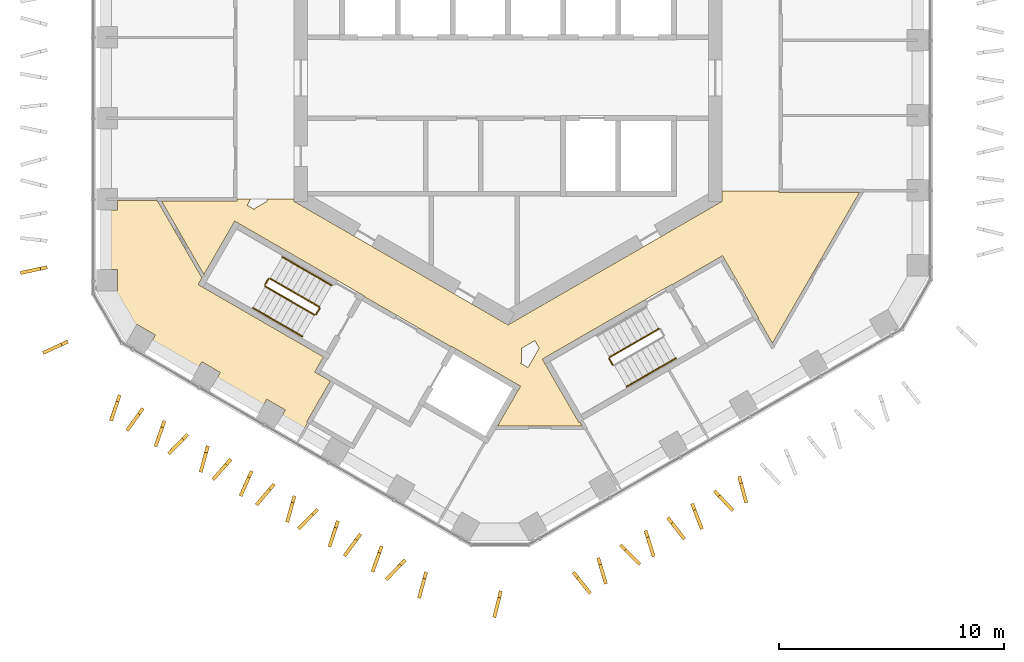
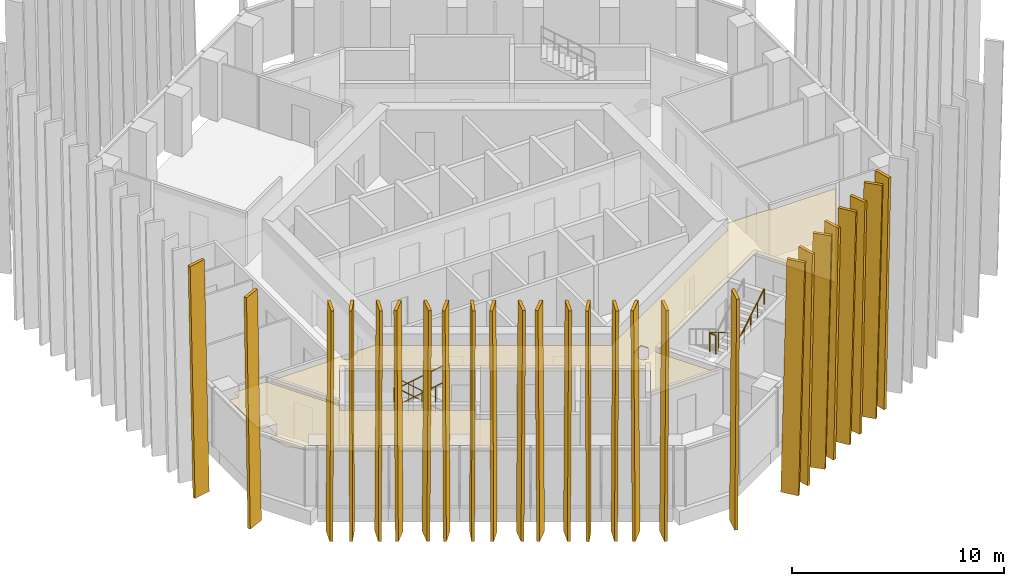
# One storey, part 18 of 21: 26 shading devices, 12 railings, 2 coverings.
"""IFC4 building model written with IfcOpenShell, lengths in metres."""

from ifc_helpers import new_model, si_unit, direction, frame, origin, origin_2d, place, context, subcontext, project, spatial, polyline, circle, outline, extrude, material, layer, layer_set, type_object, element, save


model = new_model("IFC4")

# Units and contexts
model_context = context("Model", 3, precision=1e-05, world=origin(), true_north=direction((0.0, 1.0)))
body_context = subcontext(model_context, "Body", "Model", "MODEL_VIEW")
ifc_project = project(units=[si_unit("LENGTHUNIT", "METRE"), si_unit("AREAUNIT", "SQUARE_METRE"), si_unit("VOLUMEUNIT", "CUBIC_METRE"), si_unit("PLANEANGLEUNIT", "RADIAN"), si_unit("MASSUNIT", "GRAM", prefix="KILO")], contexts=[model_context])

# Site, building, storey
site_placement = place(None, origin())
site = spatial("IfcSite", under=ifc_project, at=site_placement, CompositionType="ELEMENT")
building_placement = place(site_placement, origin())
building = spatial("IfcBuilding", under=site, at=building_placement, Name="Ayvan Gate Tower", CompositionType="ELEMENT")
storey_placement = place(building_placement, frame((0.0, 0.0, 173.10009765625)))
storey = spatial("IfcBuildingStorey", under=building, at=storey_placement, Name="L46", CompositionType="ELEMENT", Elevation=173.10009765625)

# Shading devices
ifc_material_1 = material(Name="Bronze anodised aluminium", Category="aluminium")
ifc_layer_1 = layer(ifc_material_1, 0.14990234375)
ifc_layer_set_1 = layer_set([ifc_layer_1], Name="Bronze anodised aluminium")
shading_device_type = type_object("IfcShadingDeviceType", Name="Bronze fin 900 x 150", PredefinedType="USERDEFINED", material=ifc_layer_set_1)
shading_device_1_placement = place(storey_placement, frame((-20.468994140625, -8.334716796875, 0.0), z_axis=(-0.20630441146, 0.978487852906, 0.000107364626), x_axis=(-0.978487858546, -0.20630441265, 1.4249e-08)))
element("IfcShadingDevice", 1, at=shading_device_1_placement, inside=storey, type_object=shading_device_type, Name="Bronze fin FG17.3.31", ObjectType="FIN", PredefinedType="USERDEFINED", context=body_context, shape_type="SweptSolid", body=[
    extrude(outline(polyline([(0.0, 0.0), (0.9000008212403809, 0.0), (1.2096709895795694, 13.47998052920639), (0.30972053562743307, 13.479980554853862), (0.0, 0.0)])), origin(), (0.0, 0.0, -1.0), 0.14990234375),
])
shading_device_2_placement = place(storey_placement, frame((-19.56689453125, -11.63916015625, 0.0), z_axis=(-0.413925557362, 0.910310727724, 0.000109326786), x_axis=(-0.910310733165, -0.413925559836, 0.0)))
element("IfcShadingDevice", 2, at=shading_device_2_placement, inside=storey, type_object=shading_device_type, Name="Bronze fin FG17.4.32", ObjectType="FIN", PredefinedType="USERDEFINED", context=body_context, shape_type="SweptSolid", body=[
    extrude(outline(polyline([(0.0, 0.0), (0.9000618224633137, 6.776263578034403e-21), (1.2094241761218578, 13.479980549308697), (0.309362353658544, 13.479980549308697), (0.0, 0.0)])), origin(), (0.0, 0.0, -1.0), 0.14990234375),
])
shading_device_3_placement = place(storey_placement, frame((-17.308837890625, -14.052490234375, 0.0), z_axis=(-0.947893724033, 0.31858668733, 0.000102934567), x_axis=(-0.318586689017, -0.947893729055, 1.7679e-08)))
element("IfcShadingDevice", 3, at=shading_device_3_placement, inside=storey, type_object=shading_device_type, Name="Bronze fin FG17.5.33", ObjectType="FIN", PredefinedType="USERDEFINED", context=body_context, shape_type="SweptSolid", body=[
    extrude(outline(polyline([(0.0, 0.0), (0.9001243544804837, 0.0), (1.2095562932305746, 13.479980518779524), (0.30958557816416277, 13.479980550604106), (0.0, 0.0)])), origin(), (0.0, 0.0, -1.0), 0.14990234375),
])
shading_device_4_placement = place(storey_placement, frame((-16.264892578125, -14.626953125, 0.0), z_axis=(-0.812310546814, 0.58322513797, 0.000118217096), x_axis=(-0.583225142046, -0.812310552489, -9.353e-09)))
element("IfcShadingDevice", 4, at=shading_device_4_placement, inside=storey, type_object=shading_device_type, Name="Bronze fin FG17.5.34", ObjectType="FIN", PredefinedType="USERDEFINED", context=body_context, shape_type="SweptSolid", body=[
    extrude(outline(polyline([(0.0, 0.0), (0.8999003538944761, 0.0), (1.2094745358137777, 13.479980574254991), (0.30937586391332267, 13.479980557420328), (0.0, 0.0)])), origin(), (0.0, 0.0, -1.0), 0.14990234375),
])
shading_device_5_placement = place(storey_placement, frame((-15.3212890625, -15.19873046875, 0.0), z_axis=(-0.943970379012, 0.330030166997, 0.000111445898), x_axis=(-0.330030169046, -0.943970384874, 9.283e-09)))
element("IfcShadingDevice", 5, at=shading_device_5_placement, inside=storey, type_object=shading_device_type, Name="Bronze fin FG17.5.35", ObjectType="FIN", PredefinedType="USERDEFINED", context=body_context, shape_type="SweptSolid", body=[
    extrude(outline(polyline([(0.0, 0.0), (0.8997533336272305, 0.0), (1.2093537886609214, 13.479980541235818), (0.30928941974220636, 13.47998055794308), (0.0, 0.0)])), origin(), (0.0, 0.0, -1.0), 0.14990234375),
])
shading_device_6_placement = place(storey_placement, frame((-14.269775390625, -15.7705078125, 0.0), z_axis=(-0.71419249145, 0.69994933635, 0.000108160095), x_axis=(-0.699949340444, -0.714192495629, 1.0269e-08)))
element("IfcShadingDevice", 6, at=shading_device_6_placement, inside=storey, type_object=shading_device_type, Name="Bronze fin FG17.5.36", ObjectType="FIN", PredefinedType="USERDEFINED", context=body_context, shape_type="SweptSolid", body=[
    extrude(outline(polyline([(0.0, 0.0), (0.8999848972986471, 6.776263578034403e-21), (1.2093737676856664, 13.479980535179996), (0.30956323378927253, 13.479980553661258), (0.0, 0.0)])), origin(), (0.0, 0.0, -1.0), 0.14990234375),
])
shading_device_7_placement = place(storey_placement, frame((-13.39501953125, -16.319091796875, 0.0), z_axis=(-0.964239189204, 0.265033531538, 0.000114728636), x_axis=(-0.265033533282, -0.964239195551, 4.124e-09)))
element("IfcShadingDevice", 7, at=shading_device_7_placement, inside=storey, type_object=shading_device_type, Name="Bronze fin FG17.5.37", ObjectType="FIN", PredefinedType="USERDEFINED", context=body_context, shape_type="SweptSolid", body=[
    extrude(outline(polyline([(0.0, 0.0), (0.9000996343258985, -6.776263578034403e-21), (1.209594280084105, 13.479980552478139), (0.30973005571805795, 13.479980559900737), (0.0, 0.0)])), origin(), (0.0, 0.0, -1.0), 0.14990234375),
])
shading_device_8_placement = place(storey_placement, frame((-12.3564453125, -16.87744140625, 0.0), z_axis=(-0.750826502939, 0.660499470613, 0.000108650287), x_axis=(-0.660499474511, -0.750826507371, 0.0)))
element("IfcShadingDevice", 8, at=shading_device_8_placement, inside=storey, type_object=shading_device_type, Name="Bronze fin FG17.5.38", ObjectType="FIN", PredefinedType="USERDEFINED", context=body_context, shape_type="SweptSolid", body=[
    extrude(outline(polyline([(0.0, 0.0), (0.9000498029386641, -6.776263578034403e-21), (1.2096167471071657, 13.47998054831481), (0.30956694416850167, 13.47998054831481), (0.0, 0.0)])), origin(), (0.0, 0.0, -1.0), 0.14990234375),
])
shading_device_9_placement = place(storey_placement, frame((-11.446533203125, -17.426025390625, 0.0), z_axis=(-0.912012839649, 0.410161634012, 0.000119584421), x_axis=(-0.410161636945, -0.91201284617, 0.0)))
element("IfcShadingDevice", 9, at=shading_device_9_placement, inside=storey, type_object=shading_device_type, Name="Bronze fin FG17.5.39", ObjectType="FIN", PredefinedType="USERDEFINED", context=body_context, shape_type="SweptSolid", body=[
    extrude(outline(polyline([(0.0, 0.0), (0.8999881796590448, 0.0), (1.2095208872030974, 13.479980565134788), (0.30953270754405254, 13.479980565134788), (0.0, 0.0)])), origin(), (0.0, 0.0, -1.0), 0.14990234375),
])
shading_device_10_placement = place(storey_placement, frame((-10.43701171875, -17.986572265625, 0.0), z_axis=(-0.76065270587, 0.649159031792, 0.000111783775), x_axis=(-0.649159035848, -0.760652710622, 0.0)))
element("IfcShadingDevice", 10, at=shading_device_10_placement, inside=storey, type_object=shading_device_type, Name="Bronze fin FG17.5.40", ObjectType="FIN", PredefinedType="USERDEFINED", context=body_context, shape_type="SweptSolid", body=[
    extrude(outline(polyline([(0.0, 0.0), (0.8999774837326424, 0.0), (1.2093827364684695, 13.479980552970305), (0.3094052527358272, 13.479980552970305), (0.0, 0.0)])), origin(), (0.0, 0.0, -1.0), 0.14990234375),
])
shading_device_11_placement = place(storey_placement, frame((-9.5498046875, -18.538330078125, 0.0), z_axis=(-0.962626629423, 0.270831977875, 0.000109939319), x_axis=(-0.270831979513, -0.96262663524, -1.4352e-08)))
element("IfcShadingDevice", 11, at=shading_device_11_placement, inside=storey, type_object=shading_device_type, Name="Bronze fin FG17.5.41", ObjectType="FIN", PredefinedType="USERDEFINED", context=body_context, shape_type="SweptSolid", body=[
    extrude(outline(polyline([(0.0, 0.0), (0.9001277041014364, -3.3881317890172014e-21), (1.2096001974899895, 13.47998056757429), (0.3095386144773015, 13.47998054173771), (0.0, 0.0)])), origin(), (0.0, 0.0, -1.0), 0.14990234375),
])
shading_device_12_placement = place(storey_placement, frame((-8.5029296875, -19.099853515625, 0.0), z_axis=(-0.710421865979, 0.703776071509, 0.000116237524), x_axis=(-0.703776076262, -0.710421870779, 1.1201e-08)))
element("IfcShadingDevice", 12, at=shading_device_12_placement, inside=storey, type_object=shading_device_type, Name="Bronze fin FG17.5.42", ObjectType="FIN", PredefinedType="USERDEFINED", context=body_context, shape_type="SweptSolid", body=[
    extrude(outline(polyline([(0.0, 0.0), (0.8999487356919109, 6.776263578034403e-21), (1.2094911105027322, 13.479980546267651), (0.30937055447970246, 13.479980566430141), (0.0, 0.0)])), origin(), (0.0, 0.0, -1.0), 0.14990234375),
])
shading_device_13_placement = place(storey_placement, frame((-7.6201171875, -19.646728515625, 0.0), z_axis=(-0.949102949591, 0.314965992418, 0.000121238176), x_axis=(-0.314965994732, -0.949102956566, 5.179e-09)))
element("IfcShadingDevice", 13, at=shading_device_13_placement, inside=storey, type_object=shading_device_type, Name="Bronze fin FG17.5.43", ObjectType="FIN", PredefinedType="USERDEFINED", context=body_context, shape_type="SweptSolid", body=[
    extrude(outline(polyline([(0.0, 0.0), (0.9000455969015086, 0.0), (1.2094818724256504, 13.47998056155512), (0.30966799011314716, 13.47998057087665), (0.0, 0.0)])), origin(), (0.0, 0.0, -1.0), 0.14990234375),
])
shading_device_14_placement = place(storey_placement, frame((-6.605712890625, -20.203125, 0.0), z_axis=(-0.807184797873, 0.590298813703, 0.000112352437), x_axis=(-0.590298817429, -0.807184802967, -8.997e-09)))
element("IfcShadingDevice", 14, at=shading_device_14_placement, inside=storey, type_object=shading_device_type, Name="Bronze fin FG17.5.44", ObjectType="FIN", PredefinedType="USERDEFINED", context=body_context, shape_type="SweptSolid", body=[
    extrude(outline(polyline([(0.0, 0.0), (0.8998693885630525, -1.3552527156068805e-20), (1.2093347980483382, 13.479980564709436), (0.3092683428829988, 13.479980548515888), (0.0, 0.0)])), origin(), (0.0, 0.0, -1.0), 0.14990234375),
])
shading_device_15_placement = place(storey_placement, frame((-5.677978515625, -20.76513671875, 0.0), z_axis=(-0.941003194423, 0.338397660721, 0.000106319986), x_axis=(-0.338397662633, -0.941003199742, 1.357e-08)))
element("IfcShadingDevice", 15, at=shading_device_15_placement, inside=storey, type_object=shading_device_type, Name="Bronze fin FG17.5.45", ObjectType="FIN", PredefinedType="USERDEFINED", context=body_context, shape_type="SweptSolid", body=[
    extrude(outline(polyline([(0.0, 0.0), (0.899980953419935, -3.3881317890172014e-21), (1.209546427518315, 13.479980528524791), (0.3094828574815265, 13.47998055295156), (0.0, 0.0)])), origin(), (0.0, 0.0, -1.0), 0.14990234375),
])
shading_device_16_placement = place(storey_placement, frame((-4.612548828125, -21.34619140625, 0.0), z_axis=(-0.716269563008, 0.697823689013, 0.000110275763), x_axis=(-0.697823693254, -0.716269567365, 2.115e-08)))
element("IfcShadingDevice", 16, at=shading_device_16_placement, inside=storey, type_object=shading_device_type, Name="Bronze fin FG17.5.46", ObjectType="FIN", PredefinedType="USERDEFINED", context=body_context, shape_type="SweptSolid", body=[
    extrude(outline(polyline([(0.0, 0.0), (0.9000172037256938, -6.776263578034403e-21), (1.2095928109006524, 13.47998052513), (0.3095801105621926, 13.479980563201245), (0.0, 0.0)])), origin(), (0.0, 0.0, -1.0), 0.14990234375),
])
shading_device_17_placement = place(storey_placement, frame((-3.705810546875, -21.913330078125, 0.0), z_axis=(-0.964578916073, 0.263794430788, 0.000113811783), x_axis=(-0.263794432494, -0.96457892232, 1.489e-08)))
element("IfcShadingDevice", 17, at=shading_device_17_placement, inside=storey, type_object=shading_device_type, Name="Bronze fin FG17.5.47", ObjectType="FIN", PredefinedType="USERDEFINED", context=body_context, shape_type="SweptSolid", body=[
    extrude(outline(polyline([(0.0, 0.0), (0.9000124111709515, -6.776263578034403e-21), (1.2096799820338158, 13.479980538042119), (0.3096031679252436, 13.479980564844945), (0.0, 0.0)])), origin(), (0.0, 0.0, -1.0), 0.14990234375),
])
shading_device_18_placement = place(storey_placement, frame((-0.3916015625, -22.758056640625, 0.0), z_axis=(-0.970587638553, 0.240748051765, 0.000107048974), x_axis=(-0.240748053143, -0.970587644115, 1.4093e-08)))
element("IfcShadingDevice", 18, at=shading_device_18_placement, inside=storey, type_object=shading_device_type, Name="Bronze fin FG17.6.48", ObjectType="FIN", PredefinedType="USERDEFINED", context=body_context, shape_type="SweptSolid", body=[
    extrude(outline(polyline([(0.0, 0.0), (0.8999770785595075, 0.0), (1.2095447474094487, 13.479980528940986), (0.30950889246977925, 13.479980554308126), (0.0, 0.0)])), origin(), (0.0, 0.0, -1.0), 0.14990234375),
])
shading_device_19_placement = place(storey_placement, frame((2.837646484375, -21.9912109375, 0.0), z_axis=(-0.778547711236, -0.627585411131, 0.000114300426), x_axis=(0.627585415229, -0.778547716323, -1.2071e-08)))
element("IfcShadingDevice", 19, at=shading_device_19_placement, inside=storey, type_object=shading_device_type, Name="Bronze fin FG17.7.49", ObjectType="FIN", PredefinedType="USERDEFINED", context=body_context, shape_type="SweptSolid", body=[
    extrude(outline(polyline([(0.0, 0.0), (0.89991137970504, -6.776263578034403e-21), (1.2094835614080626, 13.479980571404877), (0.3094189626075076, 13.479980549677359), (0.0, 0.0)])), origin(), (0.0, 0.0, -1.0), 0.14990234375),
])
shading_device_20_placement = place(storey_placement, frame((3.9326171875, -21.328125, 0.0), z_axis=(-0.958975808029, -0.283487897989, 0.000106347335), x_axis=(0.283487899592, -0.958975813452, 0.0)))
element("IfcShadingDevice", 20, at=shading_device_20_placement, inside=storey, type_object=shading_device_type, Name="Bronze fin FG17.7.50", ObjectType="FIN", PredefinedType="USERDEFINED", context=body_context, shape_type="SweptSolid", body=[
    extrude(outline(polyline([(0.0, 0.0), (0.8999571180724122, 0.0), (1.2094467960219162, 13.479980544977646), (0.3094896779495039, 13.479980544977646), (0.0, 0.0)])), origin(), (0.0, 0.0, -1.0), 0.14990234375),
])
shading_device_21_placement = place(storey_placement, frame((4.94091796875, -20.789794921875, 0.0), z_axis=(-0.707445769661, -0.706767619958, 0.000119864501), x_axis=(0.706767625035, -0.707445774744, -1.1502e-08)))
element("IfcShadingDevice", 21, at=shading_device_21_placement, inside=storey, type_object=shading_device_type, Name="Bronze fin FG17.7.51", ObjectType="FIN", PredefinedType="USERDEFINED", context=body_context, shape_type="SweptSolid", body=[
    extrude(outline(polyline([(0.0, 0.0), (0.899938536071079, -1.3552527156068805e-20), (1.2094694506573072, 13.479980579498363), (0.3093583638965224, 13.479980558793832), (0.0, 0.0)])), origin(), (0.0, 0.0, -1.0), 0.14990234375),
])
shading_device_22_placement = place(storey_placement, frame((6.032470703125, -20.116455078125, 0.0), z_axis=(-0.954559589869, -0.298020096482, 0.000107152463), x_axis=(0.298020098191, -0.95455959535, -1.8205e-08)))
element("IfcShadingDevice", 22, at=shading_device_22_placement, inside=storey, type_object=shading_device_type, Name="Bronze fin FG17.7.52", ObjectType="FIN", PredefinedType="USERDEFINED", context=body_context, shape_type="SweptSolid", body=[
    extrude(outline(polyline([(0.0, 0.0), (0.899980782189793, -3.3881317890172014e-21), (1.2094404266555177, 13.479980568153756), (0.30961993242889824, 13.47998053538885), (0.0, 0.0)])), origin(), (0.0, 0.0, -1.0), 0.14990234375),
])
shading_device_23_placement = place(storey_placement, frame((7.0341796875, -19.565673828125, 0.0), z_axis=(-0.792714741564, -0.609592753009, 0.000118262092), x_axis=(0.609592757272, -0.792714747107, 0.0)))
element("IfcShadingDevice", 23, at=shading_device_23_placement, inside=storey, type_object=shading_device_type, Name="Bronze fin FG17.7.53", ObjectType="FIN", PredefinedType="USERDEFINED", context=body_context, shape_type="SweptSolid", body=[
    extrude(outline(polyline([(0.0, 0.0), (0.8999188028901255, -6.776263578034403e-21), (1.2094331161255034, 13.479980563014983), (0.3095143132353779, 13.479980563014983), (0.0, 0.0)])), origin(), (0.0, 0.0, -1.0), 0.14990234375),
])
shading_device_24_placement = place(storey_placement, frame((8.1005859375, -18.92578125, 0.0), z_axis=(-0.933062145166, -0.359715192467, 0.000116472749), x_axis=(0.359715194906, -0.933062151496, -5.682e-09)))
element("IfcShadingDevice", 24, at=shading_device_24_placement, inside=storey, type_object=shading_device_type, Name="Bronze fin FG17.7.54", ObjectType="FIN", PredefinedType="USERDEFINED", context=body_context, shape_type="SweptSolid", body=[
    extrude(outline(polyline([(0.0, 0.0), (0.900077184958613, 0.0), (1.2094525377605478, 13.479980567056344), (0.30960315117876486, 13.479980556828876), (0.0, 0.0)])), origin(), (0.0, 0.0, -1.0), 0.14990234375),
])
shading_device_25_placement = place(storey_placement, frame((9.103271484375, -18.38330078125, 0.0), z_axis=(-0.725314322299, -0.6884178391, 0.00011259438), x_axis=(0.688417843462, -0.725314326898, -2.1592e-08)))
element("IfcShadingDevice", 25, at=shading_device_25_placement, inside=storey, type_object=shading_device_type, Name="Bronze fin FG17.7.55", ObjectType="FIN", PredefinedType="USERDEFINED", context=body_context, shape_type="SweptSolid", body=[
    extrude(outline(polyline([(0.0, 0.0), (0.8999039499481603, 0.0), (1.2094967925939084, 13.479980580311942), (0.3096018505762747, 13.479980541450248), (0.0, 0.0)])), origin(), (0.0, 0.0, -1.0), 0.14990234375),
])
shading_device_26_placement = place(storey_placement, frame((10.18994140625, -17.714599609375, 0.0), z_axis=(-0.965860216795, -0.259063757068, 0.0001067097), x_axis=(0.259063758543, -0.965860222294, 3.75e-09)))
element("IfcShadingDevice", 26, at=shading_device_26_placement, inside=storey, type_object=shading_device_type, Name="Bronze fin FG17.7.56", ObjectType="FIN", PredefinedType="USERDEFINED", context=body_context, shape_type="SweptSolid", body=[
    extrude(outline(polyline([(0.0, 0.0), (0.8998701857360256, 0.0), (1.2093854577760144, 13.479980540962707), (0.3092794663216551, 13.479980547712765), (0.0, 0.0)])), origin(), (0.0, 0.0, -1.0), 0.14990234375),
])

# Coverings
ifc_material_2 = material(Name="Plasterboard suspended ceiling")
ifc_layer_2 = layer(ifc_material_2, 0.050048828125)
ifc_layer_set_2 = layer_set([ifc_layer_2], Name="Plasterboard suspended ceiling")
covering_type = type_object("IfcCoveringType", Name="CT-SUSP-50", PredefinedType="CEILING", material=ifc_layer_set_2)
covering_1_placement = place(storey_placement, frame((0.0, 0.0, 2.699951171875)))
element("IfcCovering", 27, at=covering_1_placement, inside=storey, type_object=covering_type, Name="Ceiling Gallery L46", PredefinedType="CEILING", context=body_context, shape_type="SweptSolid", body=[
    extrude(outline(polyline([(-11.914794921875, -6.48681640625), (-12.131103515625, -6.36181640625), (-13.498779296875, -8.730224609375), (-15.38720703125, -5.458984375), (-12.02490234375, -5.458984375), (-12.02490234375, -5.384033203125), (-11.42236328125, -5.384033203125), (-11.580322265625, -5.65771484375), (-11.2294921875, -5.8603515625), (-11.259765625, -5.80810546875), (-10.699951171875, -5.48486328125), (-10.699951171875, -5.384033203125), (-9.5, -5.384033203125), (-9.5, -5.48486328125), (0.0, -10.9697265625), (8.38720703125, -6.127197265625), (9.5, -5.48486328125), (9.5, -5.01416015625), (12.02490234375, -5.01416015625), (12.02490234375, -5.089111328125), (15.600830078125, -5.089111328125), (11.73779296875, -11.7802734375), (11.102294921875, -10.6796875), (11.123779296875, -10.667236328125), (9.623779296875, -8.069091796875), (9.52392578125, -7.89599609375), (7.2939453125, -9.183349609375), (7.281494140625, -9.16162109375), (1.522216796875, -12.48681640625), (1.647216796875, -12.703369140625), (3.147216796875, -15.30126953125), (3.190673828125, -15.2763671875), (3.2939453125, -15.455322265625), (-0.46484375, -15.455322265625), (0.43115234375, -13.9033203125), (0.55615234375, -13.686767578125), (-2.284423828125, -12.046630859375), (-2.518310546875, -11.91162109375), (-2.53076171875, -11.933349609375), (-6.384521484375, -9.70849609375), (-6.3720703125, -9.686767578125), (-11.91455078125, -6.48681640625), (-11.914794921875, -6.48681640625)]), holes=[polyline([(0.890380859375, -12.85791015625), (1.385498046875, -12.0), (1.193115234375, -11.66650390625), (0.60009765625, -12.0087890625), (0.60009765625, -12.6552734375), (0.53955078125, -12.6552734375), (0.890380859375, -12.85791015625)])]), origin(), (0.0, 0.0, 1.0), 0.050048828125),
])
covering_2_placement = place(storey_placement, frame((0.0, 0.0, 2.699951171875)))
element("IfcCovering", 28, at=covering_2_placement, inside=storey, type_object=covering_type, Name="Ceiling Gym L46", PredefinedType="CEILING", context=body_context, shape_type="SweptSolid", body=[
    extrude(outline(polyline([(-17.32568359375, -9.4658203125), (-17.32568359375, -8.515625), (-17.83056640625, -8.515625), (-17.83056640625, -5.869384765625), (-17.32568359375, -5.869384765625), (-17.32568359375, -5.43408203125), (-15.59228515625, -5.43408203125), (-15.59228515625, -5.458984375), (-15.4970703125, -5.458984375), (-15.544677734375, -5.486572265625), (-13.585205078125, -8.88037109375), (-13.756103515625, -9.17626953125), (-13.556884765625, -9.291259765625), (-8.19189453125, -12.388916015625), (-8.579345703125, -13.06005859375), (-8.423583984375, -13.14990234375), (-7.88671875, -13.4599609375), (-8.9365234375, -15.278564453125), (-8.893310546875, -15.3037109375), (-9.13671875, -15.72509765625), (-10.123291015625, -15.1552734375), (-9.885986328125, -14.743896484375), (-10.70849609375, -14.268798828125), (-10.946044921875, -14.68017578125), (-13.00634765625, -13.49072265625), (-12.768798828125, -13.079345703125), (-13.591552734375, -12.6044921875), (-13.8291015625, -13.015625), (-15.32861328125, -12.14990234375), (-15.889404296875, -11.826171875), (-15.65185546875, -11.414794921875), (-16.474609375, -10.93994140625), (-16.653076171875, -11.2490234375), (-17.428466796875, -10.473388671875), (-17.698486328125, -9.4658203125), (-17.32568359375, -9.4658203125)])), origin(), (0.0, 0.0, 1.0), 0.050048828125),
])

# Railings
ifc_material_3 = material(Name="Stainless steel balustrade", Category="steel")
railing_type_1 = type_object("IfcRailingType", Name="RL-GUARD-1100", PredefinedType="GUARDRAIL", material=ifc_material_3)
railing_1_placement = place(storey_placement, frame((-8.381103515625, -10.16650390625, 0.169921875)))
element("IfcRailing", 29, at=railing_1_placement, inside=storey, type_object=railing_type_1, Name="L46 STS2 stair guard 1", PredefinedType="GUARDRAIL", context=body_context, shape_type="SweptSolid", body=[
    extrude(circle(Radius=0.02392578125, at=origin_2d()), frame((0.0, 0.0, 1.076171875), z_axis=(-0.740261155115, 0.427395438142, 0.518986090067), x_axis=(-0.500004791531, -0.866022637375, 0.0)), (0.0, 0.0, 1.0), 2.947998046875),
    extrude(circle(Radius=0.02099609375, at=origin_2d()), origin(), (0.0, 0.0, 1.0), 1.052001953125),
    extrude(circle(Radius=0.02099609375, at=origin_2d()), frame((-0.7275390625, 0.419921875, 0.510009765625)), (0.0, 0.0, 1.0), 1.052001953125),
    extrude(circle(Radius=0.02099609375, at=origin_2d()), frame((-1.454833984375, 0.840087890625, 1.02001953125)), (0.0, 0.0, 1.0), 1.052001953125),
    extrude(circle(Radius=0.02099609375, at=origin_2d()), frame((-2.182373046875, 1.260009765625, 1.530029296875)), (0.0, 0.0, 1.0), 1.052001953125),
])
railing_2_placement = place(storey_placement, frame((-10.6318359375, -8.9248046875, 1.699951171875)))
element("IfcRailing", 30, at=railing_2_placement, inside=storey, type_object=railing_type_1, Name="L46 STS2 stair guard 2", PredefinedType="GUARDRAIL", context=body_context, shape_type="SweptSolid", body=[
    extrude(circle(Radius=0.02392578125, at=origin_2d()), frame((0.0, 0.0, 1.076171875), z_axis=(-0.499949632511, -0.866054481515, 0.0), x_axis=(0.866054481515, -0.499949632511, 0.0)), (0.0, 0.0, 1.0), 0.31005859375),
    extrude(circle(Radius=0.02099609375, at=origin_2d()), origin(), (0.0, 0.0, 1.0), 1.052001953125),
    extrude(circle(Radius=0.02099609375, at=origin_2d()), frame((-0.155029296875, -0.2685546875, 0.0)), (0.0, 0.0, 1.0), 1.052001953125),
])
railing_3_placement = place(storey_placement, frame((-10.7685546875, -9.261474609375, 1.869873046875)))
element("IfcRailing", 31, at=railing_3_placement, inside=storey, type_object=railing_type_1, Name="L46 STS2 stair guard 3", PredefinedType="GUARDRAIL", context=body_context, shape_type="SweptSolid", body=[
    extrude(circle(Radius=0.02392578125, at=origin_2d()), frame((0.0, 0.0, 1.076171875), z_axis=(0.740261155115, -0.427395438142, 0.518986090067), x_axis=(0.500004791531, 0.866022637375, 0.0)), (0.0, 0.0, 1.0), 2.947998046875),
    extrude(circle(Radius=0.02099609375, at=origin_2d()), origin(), (0.0, 0.0, 1.0), 1.052001953125),
    extrude(circle(Radius=0.02099609375, at=origin_2d()), frame((0.7275390625, -0.419921875, 0.510009765625)), (0.0, 0.0, 1.0), 1.052001953125),
    extrude(circle(Radius=0.02099609375, at=origin_2d()), frame((1.454833984375, -0.840087890625, 1.02001953125)), (0.0, 0.0, 1.0), 1.052001953125),
    extrude(circle(Radius=0.02099609375, at=origin_2d()), frame((2.182373046875, -1.260009765625, 1.530029296875)), (0.0, 0.0, 1.0), 1.052001953125),
])
railing_4_placement = place(storey_placement, frame((-8.36279296875, -10.23486328125, 0.0)))
element("IfcRailing", 32, at=railing_4_placement, inside=storey, type_object=railing_type_1, Name="L46 STS2 stair guard 4", PredefinedType="GUARDRAIL", context=body_context, shape_type="SweptSolid", body=[
    extrude(circle(Radius=0.02392578125, at=origin_2d()), frame((0.0, 0.0, 1.076171875), z_axis=(-0.500290723946, -0.86585748916, 0.0), x_axis=(0.86585748916, -0.500290723946, 0.0)), (0.0, 0.0, 1.0), 0.309814453125),
    extrude(circle(Radius=0.02099609375, at=origin_2d()), origin(), (0.0, 0.0, 1.0), 1.052001953125),
    extrude(circle(Radius=0.02099609375, at=origin_2d()), frame((-0.155029296875, -0.268310546875, 0.0)), (0.0, 0.0, 1.0), 1.052001953125),
])
railing_5_placement = place(storey_placement, frame((6.6923828125, -11.1416015625, 0.169921875)))
element("IfcRailing", 33, at=railing_5_placement, inside=storey, type_object=railing_type_1, Name="L46 STS3 stair guard 1", PredefinedType="GUARDRAIL", context=body_context, shape_type="SweptSolid", body=[
    extrude(circle(Radius=0.02392578125, at=origin_2d()), frame((0.0, 0.0, 1.076171875), z_axis=(-0.740261155115, -0.427395438142, 0.518986090067), x_axis=(0.500004791531, -0.866022637375, 0.0)), (0.0, 0.0, 1.0), 2.947998046875),
    extrude(circle(Radius=0.02099609375, at=origin_2d()), origin(), (0.0, 0.0, 1.0), 1.052001953125),
    extrude(circle(Radius=0.02099609375, at=origin_2d()), frame((-0.7275390625, -0.419921875, 0.510009765625)), (0.0, 0.0, 1.0), 1.052001953125),
    extrude(circle(Radius=0.02099609375, at=origin_2d()), frame((-1.454833984375, -0.840087890625, 1.02001953125)), (0.0, 0.0, 1.0), 1.052001953125),
    extrude(circle(Radius=0.02099609375, at=origin_2d()), frame((-2.182373046875, -1.260009765625, 1.530029296875)), (0.0, 0.0, 1.0), 1.052001953125),
])
railing_6_placement = place(storey_placement, frame((4.49169921875, -12.4697265625, 1.699951171875)))
element("IfcRailing", 34, at=railing_6_placement, inside=storey, type_object=railing_type_1, Name="L46 STS3 stair guard 2", PredefinedType="GUARDRAIL", context=body_context, shape_type="SweptSolid", body=[
    extrude(circle(Radius=0.02392578125, at=origin_2d()), frame((0.0, 0.0, 1.076171875), z_axis=(0.499949632511, -0.866054481515, 0.0), x_axis=(0.866054481515, 0.499949632511, 0.0)), (0.0, 0.0, 1.0), 0.31005859375),
    extrude(circle(Radius=0.02099609375, at=origin_2d()), origin(), (0.0, 0.0, 1.0), 1.052001953125),
    extrude(circle(Radius=0.02099609375, at=origin_2d()), frame((0.155029296875, -0.2685546875, 0.0)), (0.0, 0.0, 1.0), 1.052001953125),
])
railing_type_2 = type_object("IfcRailingType", Name="RL-HANDRAIL-900", PredefinedType="HANDRAIL", material=ifc_material_3)
railing_7_placement = place(storey_placement, frame((-7.8310546875, -9.2138671875, 0.169921875)))
element("IfcRailing", 35, at=railing_7_placement, inside=storey, type_object=railing_type_2, Name="L46 STS2 stair handrail 1", PredefinedType="HANDRAIL", context=body_context, shape_type="SweptSolid", body=[
    extrude(circle(Radius=0.02392578125, at=origin_2d()), frame((0.0, 0.0, 0.8759765625), z_axis=(-0.740356597536, 0.427319915356, 0.518912129772), x_axis=(-0.499890179513, -0.866088799389, 0.0)), (0.0, 0.0, 1.0), 1.47412109375),
    extrude(circle(Radius=0.02099609375, at=origin_2d()), origin(), (0.0, 0.0, 1.0), 0.851806640625),
    extrude(circle(Radius=0.02099609375, at=origin_2d()), frame((-0.545654296875, 0.31494140625, 0.38232421875)), (0.0, 0.0, 1.0), 0.851806640625),
    extrude(circle(Radius=0.02099609375, at=origin_2d()), frame((-1.09130859375, 0.6298828125, 0.764892578125)), (0.0, 0.0, 1.0), 0.851806640625),
])
railing_8_placement = place(storey_placement, frame((-8.92236328125, -8.583984375, 0.934814453125)))
element("IfcRailing", 36, at=railing_8_placement, inside=storey, type_object=railing_type_2, Name="L46 STS2 stair handrail 2", PredefinedType="HANDRAIL", context=body_context, shape_type="SweptSolid", body=[
    extrude(circle(Radius=0.02392578125, at=origin_2d()), frame((0.0, 0.0, 0.8759765625), z_axis=(-0.740165700939, 0.427470949681, 0.519060037311), x_axis=(-0.50011940292, -0.865956455501, 0.0)), (0.0, 0.0, 1.0), 1.47412109375),
    extrude(circle(Radius=0.02099609375, at=origin_2d()), origin(), (0.0, 0.0, 1.0), 0.851806640625),
    extrude(circle(Radius=0.02099609375, at=origin_2d()), frame((-0.54541015625, 0.31494140625, 0.382568359375)), (0.0, 0.0, 1.0), 0.851806640625),
    extrude(circle(Radius=0.02099609375, at=origin_2d()), frame((-1.091064453125, 0.630126953125, 0.76513671875)), (0.0, 0.0, 1.0), 0.851806640625),
])
railing_9_placement = place(storey_placement, frame((-11.318603515625, -10.214111328125, 1.869873046875)))
element("IfcRailing", 37, at=railing_9_placement, inside=storey, type_object=railing_type_2, Name="L46 STS2 stair handrail 3", PredefinedType="HANDRAIL", context=body_context, shape_type="SweptSolid", body=[
    extrude(circle(Radius=0.02392578125, at=origin_2d()), frame((0.0, 0.0, 0.8759765625), z_axis=(0.740240574041, -0.427418550694, 0.518996411419), x_axis=(0.500035496587, 0.86600490885, 0.0)), (0.0, 0.0, 1.0), 1.474365234375),
    extrude(circle(Radius=0.02099609375, at=origin_2d()), origin(), (0.0, 0.0, 1.0), 0.851806640625),
    extrude(circle(Radius=0.02099609375, at=origin_2d()), frame((0.545654296875, -0.31494140625, 0.382568359375)), (0.0, 0.0, 1.0), 0.851806640625),
    extrude(circle(Radius=0.02099609375, at=origin_2d()), frame((1.09130859375, -0.630126953125, 0.76513671875)), (0.0, 0.0, 1.0), 0.851806640625),
])
railing_10_placement = place(storey_placement, frame((-10.227294921875, -10.84423828125, 2.635009765625)))
element("IfcRailing", 38, at=railing_10_placement, inside=storey, type_object=railing_type_2, Name="L46 STS2 stair handrail 4", PredefinedType="HANDRAIL", context=body_context, shape_type="SweptSolid", body=[
    extrude(circle(Radius=0.02392578125, at=origin_2d()), frame((0.0, 0.0, 0.8759765625), z_axis=(0.740356597536, -0.427319915356, 0.518912129772), x_axis=(0.499890179513, 0.866088799389, 0.0)), (0.0, 0.0, 1.0), 1.47412109375),
    extrude(circle(Radius=0.02099609375, at=origin_2d()), origin(), (0.0, 0.0, 1.0), 0.851806640625),
    extrude(circle(Radius=0.02099609375, at=origin_2d()), frame((0.545654296875, -0.31494140625, 0.38232421875)), (0.0, 0.0, 1.0), 0.851806640625),
    extrude(circle(Radius=0.02099609375, at=origin_2d()), frame((1.09130859375, -0.6298828125, 0.764892578125)), (0.0, 0.0, 1.0), 0.851806640625),
])
railing_11_placement = place(storey_placement, frame((5.264892578125, -13.709228515625, 1.869873046875)))
element("IfcRailing", 39, at=railing_11_placement, inside=storey, type_object=railing_type_2, Name="L46 STS3 stair handrail 3", PredefinedType="HANDRAIL", context=body_context, shape_type="SweptSolid", body=[
    extrude(circle(Radius=0.02392578125, at=origin_2d()), frame((0.0, 0.0, 0.8759765625), z_axis=(0.740240574041, 0.427418550694, 0.518996411419), x_axis=(-0.500035496587, 0.86600490885, 0.0)), (0.0, 0.0, 1.0), 1.474365234375),
    extrude(circle(Radius=0.02099609375, at=origin_2d()), origin(), (0.0, 0.0, 1.0), 0.851806640625),
    extrude(circle(Radius=0.02099609375, at=origin_2d()), frame((0.545654296875, 0.31494140625, 0.382568359375)), (0.0, 0.0, 1.0), 0.851806640625),
    extrude(circle(Radius=0.02099609375, at=origin_2d()), frame((1.09130859375, 0.630126953125, 0.76513671875)), (0.0, 0.0, 1.0), 0.851806640625),
])
railing_12_placement = place(storey_placement, frame((6.356201171875, -13.0791015625, 2.635009765625)))
element("IfcRailing", 40, at=railing_12_placement, inside=storey, type_object=railing_type_2, Name="L46 STS3 stair handrail 4", PredefinedType="HANDRAIL", context=body_context, shape_type="SweptSolid", body=[
    extrude(circle(Radius=0.02392578125, at=origin_2d()), frame((0.0, 0.0, 0.8759765625), z_axis=(0.740281741151, 0.427372318678, 0.518975765278), x_axis=(-0.499974077718, 0.866040369504, 0.0)), (0.0, 0.0, 1.0), 1.473876953125),
    extrude(circle(Radius=0.02099609375, at=origin_2d()), origin(), (0.0, 0.0, 1.0), 0.851806640625),
    extrude(circle(Radius=0.02099609375, at=origin_2d()), frame((0.54541015625, 0.31494140625, 0.38232421875)), (0.0, 0.0, 1.0), 0.851806640625),
    extrude(circle(Radius=0.02099609375, at=origin_2d()), frame((1.091064453125, 0.6298828125, 0.764892578125)), (0.0, 0.0, 1.0), 0.851806640625),
])

save(model, "model.ifc")
